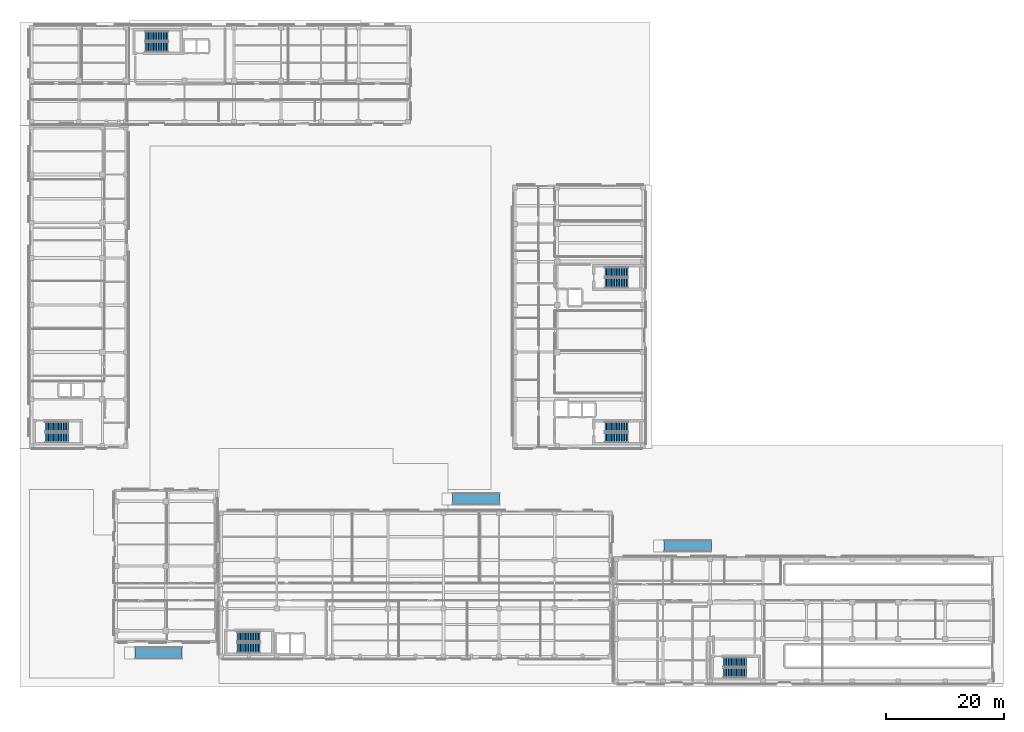
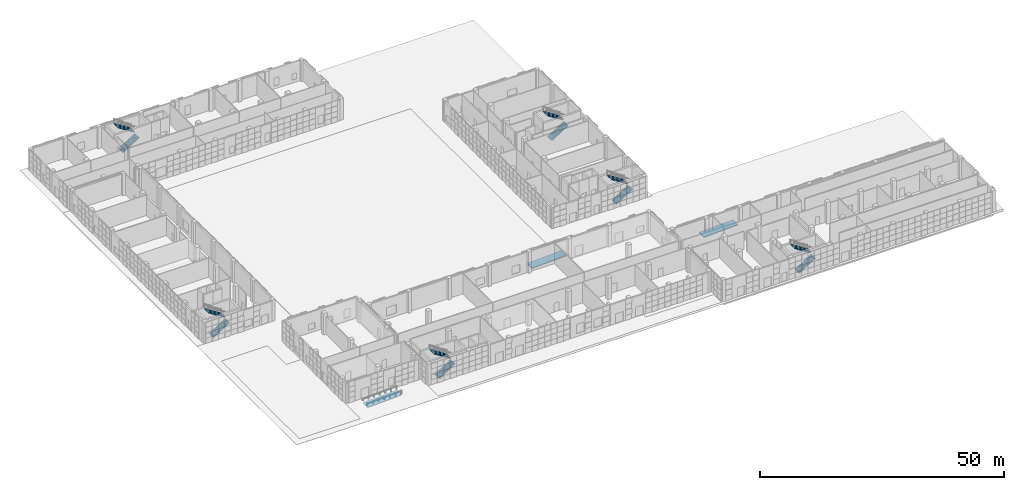
# One storey, part 18 of 40: 12 stair flights, 3 ramp flights, 9 elements without a shape of their own.
"""IFC4 building model written with IfcOpenShell, lengths in metres."""

import ifcopenshell
import ifcopenshell.guid

model = None  # the IFC model being written
_history = None  # IfcOwnerHistory: only IFC2X3 demands one
_inside = {}  # id of a spatial element -> (the spatial element, [elements in it])
_under = {}  # id of a project, library or spatial element -> (it, [spatial elements below it])
_declared = {}  # id of a project -> (the project, [libraries it declares])
_typed = {}  # id of a type object -> (the type object, [elements of that type])
_made_of = {}  # id of a material, layer set ... -> (it, [elements and type objects made of it])


def new_model(schema):
    """Start an empty IFC model of exactly this schema.

    Asked for "IFC4X3", IfcOpenShell would pick the latest addendum, in which some entities
    have other attributes; the version numbers below select the first issue.
    IFC2X3 requires an IfcOwnerHistory on every rooted entity: one is made here for all.
    """
    global model, _history
    if schema == "IFC4X3":
        model = ifcopenshell.file(schema_version=(4, 3, 0, 0))
    else:
        model = ifcopenshell.file(schema=schema)
    _inside.clear()
    _under.clear()
    _declared.clear()
    _typed.clear()
    _made_of.clear()
    _history = None
    if model.schema == "IFC2X3":
        org = make("IfcOrganization", Name="unknown")
        user = make(
            "IfcPersonAndOrganization",
            ThePerson=make("IfcPerson", FamilyName="unknown"),
            TheOrganization=org,
        )
        app = make(
            "IfcApplication",
            ApplicationDeveloper=org,
            Version="unknown",
            ApplicationFullName="unknown",
            ApplicationIdentifier="unknown",
        )
        _history = make(
            "IfcOwnerHistory",
            OwningUser=user,
            OwningApplication=app,
            ChangeAction="ADDED",
            CreationDate=0,
        )
    return model


def make(cls, **values):
    """One entity of the class cls with the attributes given. An attribute that is None is left unset."""
    return model.create_entity(
        cls, **{name: value for name, value in values.items() if value is not None}
    )


def rooted(cls, **values):
    """An entity with a GlobalId (a new one), such as an element, a storey or a relation."""
    return make(cls, GlobalId=ifcopenshell.guid.new(), OwnerHistory=_history, **values)


def si_unit(unit_type, name, prefix=None):
    """IfcSIUnit, for example si_unit("LENGTHUNIT", "METRE", prefix="MILLI")."""
    return make("IfcSIUnit", UnitType=unit_type, Prefix=prefix, Name=name)


def assignment(units):
    """IfcUnitAssignment: the units of a project."""
    return None if units is None else make("IfcUnitAssignment", Units=units)


def point(xyz):
    """IfcCartesianPoint."""
    return None if xyz is None else make("IfcCartesianPoint", Coordinates=xyz)


def direction(xyz):
    """IfcDirection."""
    return None if xyz is None else make("IfcDirection", DirectionRatios=xyz)


def frame(location, z_axis=None, x_axis=None):
    """IfcAxis2Placement3D, a coordinate frame: its origin and axes. An axis left out is left unset."""
    return make(
        "IfcAxis2Placement3D",
        Location=point(location),
        Axis=direction(z_axis),
        RefDirection=direction(x_axis),
    )


def origin():
    """The frame at (0, 0, 0) with its axes left unset."""
    return frame((0.0, 0.0, 0.0))


def place(relative_to, where):
    """IfcLocalPlacement: puts the frame where relative to a parent placement (None: the world)."""
    return make(
        "IfcLocalPlacement", PlacementRelTo=relative_to, RelativePlacement=where
    )


def context(
    kind, dimensions, precision=None, world=None, true_north=None, identifier=None
):
    """IfcGeometricRepresentationContext, for example the 3D "Model" context."""
    return make(
        "IfcGeometricRepresentationContext",
        ContextIdentifier=identifier,
        ContextType=kind,
        CoordinateSpaceDimension=dimensions,
        Precision=precision,
        WorldCoordinateSystem=world,
        TrueNorth=true_north,
    )


def subcontext(parent, identifier, kind, view, scale=None):
    """IfcGeometricRepresentationSubContext, for example "Body" below "Model"."""
    return make(
        "IfcGeometricRepresentationSubContext",
        ContextIdentifier=identifier,
        ContextType=kind,
        ParentContext=parent,
        TargetScale=scale,
        TargetView=view,
    )


def project(units=None, contexts=None):
    """IfcProject with its units and contexts."""
    return rooted(
        "IfcProject",
        Name="project",
        RepresentationContexts=contexts,
        UnitsInContext=assignment(units),
    )


def spatial(cls, under=None, at=None, **own):
    """A site, building, storey or space (cls), placed at a placement, below another one or the project."""
    s = rooted(cls, ObjectPlacement=at, **own)
    if under is not None:
        _under.setdefault(under.id(), (under, []))[1].append(s)
    return s


def polyline(points):
    """IfcPolyline through the points."""
    return make("IfcPolyline", Points=[point(p) for p in points])


def outline(outer, holes=None, kind="AREA"):
    """IfcArbitraryClosedProfileDef: a profile drawn as a closed curve; with holes, ...WithVoids."""
    if holes is None:
        return make("IfcArbitraryClosedProfileDef", ProfileType=kind, OuterCurve=outer)
    return make(
        "IfcArbitraryProfileDefWithVoids",
        ProfileType=kind,
        OuterCurve=outer,
        InnerCurves=holes,
    )


def extrude(swept, where, along, depth):
    """IfcExtrudedAreaSolid: the profile swept, set in the frame where, extruded along a direction by depth."""
    return make(
        "IfcExtrudedAreaSolid",
        SweptArea=swept,
        Position=where,
        ExtrudedDirection=direction(along),
        Depth=depth,
    )


def shape(context_of_items, identifier, shape_type, items):
    """IfcShapeRepresentation: the items that make up one representation, for example the "Body"."""
    return make(
        "IfcShapeRepresentation",
        ContextOfItems=context_of_items,
        RepresentationIdentifier=identifier,
        RepresentationType=shape_type,
        Items=items,
    )


def material(Name=None, Category=None):
    """IfcMaterial."""
    return make("IfcMaterial", Name=Name, Category=Category)


def layer(
    of_material, thickness, ventilated=None, Name=None, Category=None, Priority=None
):
    """IfcMaterialLayer: one layer of a wall or slab, of a material (None: an air gap)."""
    return make(
        "IfcMaterialLayer",
        Material=of_material,
        LayerThickness=thickness,
        IsVentilated=ventilated,
        Name=Name,
        Category=Category,
        Priority=Priority,
    )


def layer_set(layers, Name=None):
    """IfcMaterialLayerSet."""
    return make("IfcMaterialLayerSet", MaterialLayers=layers, LayerSetName=Name)


def made_of(thing, what):
    """Note that an element or type object is made of a material, layer set ...; save() writes the relation."""
    if what is not None:
        _made_of.setdefault(what.id(), (what, []))[1].append(thing)
    return thing


def type_object(cls, material=None, **own):
    """A type object (cls), such as IfcWallType, which elements share."""
    return made_of(rooted(cls, **own), material)


def element(
    cls,
    number,
    at=None,
    inside=None,
    cuts=None,
    type_object=None,
    material=None,
    context=None,
    identifier="Body",
    shape_type=None,
    held_by="IfcProductDefinitionShape",
    body=None,
    shapes=None,
    **own,
):
    """One element of the class cls, such as IfcWall. Its Tag is "e" and its number.

    at: its placement. inside: the storey or other place that contains it. cuts: it is an
    opening in that element (IfcRelVoidsElement). A single representation is given by context,
    identifier, shape_type and body (its items); several are given by shapes. held_by: the class
    of the entity that holds the representations. save() writes the other relations.
    """
    e = rooted(cls, Tag="e%d" % number, ObjectPlacement=at, **own)
    if body is not None:
        shapes = [shape(context, identifier, shape_type, body)]
    if shapes is not None:
        e.Representation = make(held_by, Representations=shapes)
    if inside is not None:
        _inside.setdefault(inside.id(), (inside, []))[1].append(e)
    if cuts is not None:
        rooted(
            "IfcRelVoidsElement", RelatingBuildingElement=cuts, RelatedOpeningElement=e
        )
    if type_object is not None:
        _typed.setdefault(type_object.id(), (type_object, []))[1].append(e)
    return made_of(e, material)


def aggregate(whole, parts):
    """IfcRelAggregates: a whole, such as a stair, and the parts it consists of."""
    return rooted("IfcRelAggregates", RelatingObject=whole, RelatedObjects=parts)


def save(model, path):
    """Write the relations noted so far, then the file.

    IfcRelAggregates (storeys below a building ...), IfcRelContainedInSpatialStructure (elements
    in a storey), IfcRelDefinesByType, IfcRelAssociatesMaterial and IfcRelDeclares: one each for
    every whole, place, type object, material and project.
    """
    for whole, parts in _under.values():
        aggregate(whole, parts)
    for where, things in _inside.values():
        rooted(
            "IfcRelContainedInSpatialStructure",
            RelatedElements=things,
            RelatingStructure=where,
        )
    for kind, things in _typed.values():
        rooted("IfcRelDefinesByType", RelatedObjects=things, RelatingType=kind)
    for what, things in _made_of.values():
        rooted("IfcRelAssociatesMaterial", RelatedObjects=things, RelatingMaterial=what)
    for by, libraries in _declared.values():
        rooted("IfcRelDeclares", RelatingContext=by, RelatedDefinitions=libraries)
    model.write(path)


model = new_model("IFC4")

# Units and contexts
model_context = context("Model", 3, precision=1e-05, world=origin(), true_north=direction((0.0, 1.0)))
body_context = subcontext(model_context, "Body", "Model", "MODEL_VIEW")
ifc_project = project(units=[si_unit("LENGTHUNIT", "METRE"), si_unit("AREAUNIT", "SQUARE_METRE"), si_unit("VOLUMEUNIT", "CUBIC_METRE"), si_unit("PLANEANGLEUNIT", "RADIAN"), si_unit("MASSUNIT", "GRAM", prefix="KILO")], contexts=[model_context])

# Site, building, storey
site_placement = place(None, origin())
site = spatial("IfcSite", under=ifc_project, at=site_placement, CompositionType="ELEMENT")
building_placement = place(site_placement, origin())
building = spatial("IfcBuilding", under=site, at=building_placement, Name="Qalavern Law Courts", CompositionType="ELEMENT")
storey_placement = place(building_placement, origin())
storey = spatial("IfcBuildingStorey", under=building, at=storey_placement, Name="L00", CompositionType="ELEMENT", Elevation=0.0)

# Stair, stair flights
ifc_material = material(Name="Concrete C35/45", Category="concrete")
stair_type_1 = type_object("IfcStairType", Name="INT-STAIR-1650", PredefinedType="HALF_TURN_STAIR", material=ifc_material)
stair_1_placement = place(storey_placement, origin())
stair_1 = element("IfcStair", 1, at=stair_1_placement, inside=storey, type_object=stair_type_1, Name="L00 ST-K5", PredefinedType="HALF_TURN_STAIR")
stair_flight_type_1 = type_object("IfcStairFlightType", Name="INT-FLIGHT-1650", PredefinedType="STRAIGHT", material=ifc_material)
stair_flight_1_placement = place(storey_placement, frame((120.050048828125, 2.824951171875, 0.0), z_axis=(0.0, 0.0, 1.0), x_axis=(1.0, 0.0, 0.0)))
stair_flight_1 = element("IfcStairFlight", 2, at=stair_flight_1_placement, type_object=stair_flight_type_1, Name="ST-K5 flight 1", NumberOfRisers=15, NumberOfTreads=14, PredefinedType="STRAIGHT", RiserHeight=0.18, TreadLength=0.28, context=body_context, shape_type="SweptSolid", body=[
    extrude(outline(polyline([(0.0, 0.0), (0.0, 0.179931640625), (0.280029296875, 0.179931640625), (0.280029296875, 0.360107421875), (0.56005859375, 0.360107421875), (0.56005859375, 0.5400390625), (0.840087890625, 0.5400390625), (0.840087890625, 0.719970703125), (1.1201171875, 0.719970703125), (1.1201171875, 0.89990234375), (1.39990234375, 0.89990234375), (1.39990234375, 1.080078125), (1.679931640625, 1.080078125), (1.679931640625, 1.260009765625), (1.9599609375, 1.260009765625), (1.9599609375, 1.43994140625), (2.239990234375, 1.43994140625), (2.239990234375, 1.6201171875), (2.52001953125, 1.6201171875), (2.52001953125, 1.800048828125), (2.800048828125, 1.800048828125), (2.800048828125, 1.97998046875), (3.080078125, 1.97998046875), (3.080078125, 2.159912109375), (3.360107421875, 2.159912109375), (3.360107421875, 2.340087890625), (3.639892578125, 2.340087890625), (3.639892578125, 2.52001953125), (3.919921875, 2.52001953125), (3.919921875, 2.699951171875), (3.919921875, 2.341796875), (0.277099609375, 0.0), (0.0, 0.0)])), frame((0.0, 0.824951171875, 0.0), z_axis=(0.0, -1.0, 0.0), x_axis=(1.0, 0.0, 0.0)), (0.0, 0.0, 1.0), 1.64990234375),
])
stair_flight_2_placement = place(storey_placement, frame((123.969970703125, 4.625, 2.699951171875), z_axis=(0.0, 0.0, 1.0), x_axis=(-1.0, 0.0, 0.0)))
stair_flight_2 = element("IfcStairFlight", 3, at=stair_flight_2_placement, type_object=stair_flight_type_1, Name="ST-K5 flight 2", NumberOfRisers=15, NumberOfTreads=14, PredefinedType="STRAIGHT", RiserHeight=0.18, TreadLength=0.28, context=body_context, shape_type="SweptSolid", body=[
    extrude(outline(polyline([(0.0, 0.0), (0.0, 0.179931640625), (0.280029296875, 0.179931640625), (0.280029296875, 0.360107421875), (0.56005859375, 0.360107421875), (0.56005859375, 0.5400390625), (0.840087890625, 0.5400390625), (0.840087890625, 0.719970703125), (1.1201171875, 0.719970703125), (1.1201171875, 0.89990234375), (1.39990234375, 0.89990234375), (1.39990234375, 1.080078125), (1.679931640625, 1.080078125), (1.679931640625, 1.260009765625), (1.9599609375, 1.260009765625), (1.9599609375, 1.43994140625), (2.239990234375, 1.43994140625), (2.239990234375, 1.6201171875), (2.52001953125, 1.6201171875), (2.52001953125, 1.800048828125), (2.800048828125, 1.800048828125), (2.800048828125, 1.97998046875), (3.080078125, 1.97998046875), (3.080078125, 2.159912109375), (3.360107421875, 2.159912109375), (3.360107421875, 2.340087890625), (3.639892578125, 2.340087890625), (3.639892578125, 2.52001953125), (3.919921875, 2.52001953125), (3.919921875, 2.699951171875), (3.919921875, 2.341796875), (0.277099609375, 0.0), (0.0, 0.0)])), frame((0.0, 0.824951171875, 0.0), z_axis=(0.0, -1.0, 0.0), x_axis=(1.0, 0.0, 0.0)), (0.0, 0.0, 1.0), 1.64990234375),
])
aggregate(stair_1, [stair_flight_1, stair_flight_2])

stair_type_2 = type_object("IfcStairType", Name="INT-STAIR-1700", PredefinedType="HALF_TURN_STAIR", material=ifc_material)
stair_2_placement = place(storey_placement, origin())
stair_2 = element("IfcStair", 4, at=stair_2_placement, inside=storey, type_object=stair_type_2, Name="L00 ST-K1A", PredefinedType="HALF_TURN_STAIR")
stair_flight_type_2 = type_object("IfcStairFlightType", Name="INT-FLIGHT-1700", PredefinedType="STRAIGHT", material=ifc_material)
stair_flight_3_placement = place(storey_placement, frame((99.89990234375, 42.85009765625, 0.0), z_axis=(0.0, 0.0, 1.0), x_axis=(1.0, 0.0, 0.0)))
stair_flight_3 = element("IfcStairFlight", 5, at=stair_flight_3_placement, type_object=stair_flight_type_2, Name="ST-K1A flight 1", NumberOfRisers=15, NumberOfTreads=14, PredefinedType="STRAIGHT", RiserHeight=0.18, TreadLength=0.28, context=body_context, shape_type="SweptSolid", body=[
    extrude(outline(polyline([(0.0, 0.0), (0.0, 0.179931640625), (0.280029296875, 0.179931640625), (0.280029296875, 0.360107421875), (0.56005859375, 0.360107421875), (0.56005859375, 0.5400390625), (0.840087890625, 0.5400390625), (0.840087890625, 0.719970703125), (1.1201171875, 0.719970703125), (1.1201171875, 0.89990234375), (1.39990234375, 0.89990234375), (1.39990234375, 1.080078125), (1.679931640625, 1.080078125), (1.679931640625, 1.260009765625), (1.9599609375, 1.260009765625), (1.9599609375, 1.43994140625), (2.239990234375, 1.43994140625), (2.239990234375, 1.6201171875), (2.52001953125, 1.6201171875), (2.52001953125, 1.800048828125), (2.800048828125, 1.800048828125), (2.800048828125, 1.97998046875), (3.080078125, 1.97998046875), (3.080078125, 2.159912109375), (3.360107421875, 2.159912109375), (3.360107421875, 2.340087890625), (3.639892578125, 2.340087890625), (3.639892578125, 2.52001953125), (3.919921875, 2.52001953125), (3.919921875, 2.699951171875), (3.919921875, 2.341796875), (0.277099609375, 0.0), (0.0, 0.0)])), frame((0.0, 0.85009765625, 0.0), z_axis=(0.0, -1.0, 0.0), x_axis=(1.0, 0.0, 0.0)), (0.0, 0.0, 1.0), 1.699951171875),
])
stair_flight_4_placement = place(storey_placement, frame((103.820068359375, 44.699951171875, 2.699951171875), z_axis=(0.0, 0.0, 1.0), x_axis=(-1.0, 0.0, 0.0)))
stair_flight_4 = element("IfcStairFlight", 6, at=stair_flight_4_placement, type_object=stair_flight_type_2, Name="ST-K1A flight 2", NumberOfRisers=15, NumberOfTreads=14, PredefinedType="STRAIGHT", RiserHeight=0.18, TreadLength=0.28, context=body_context, shape_type="SweptSolid", body=[
    extrude(outline(polyline([(0.0, 0.0), (0.0, 0.179931640625), (0.280029296875, 0.179931640625), (0.280029296875, 0.360107421875), (0.56005859375, 0.360107421875), (0.56005859375, 0.5400390625), (0.840087890625, 0.5400390625), (0.840087890625, 0.719970703125), (1.1201171875, 0.719970703125), (1.1201171875, 0.89990234375), (1.39990234375, 0.89990234375), (1.39990234375, 1.080078125), (1.679931640625, 1.080078125), (1.679931640625, 1.260009765625), (1.9599609375, 1.260009765625), (1.9599609375, 1.43994140625), (2.239990234375, 1.43994140625), (2.239990234375, 1.6201171875), (2.52001953125, 1.6201171875), (2.52001953125, 1.800048828125), (2.800048828125, 1.800048828125), (2.800048828125, 1.97998046875), (3.080078125, 1.97998046875), (3.080078125, 2.159912109375), (3.360107421875, 2.159912109375), (3.360107421875, 2.340087890625), (3.639892578125, 2.340087890625), (3.639892578125, 2.52001953125), (3.919921875, 2.52001953125), (3.919921875, 2.699951171875), (3.919921875, 2.341796875), (0.277099609375, 0.0), (0.0, 0.0)])), frame((0.0, 0.85009765625, 0.0), z_axis=(0.0, -1.0, 0.0), x_axis=(1.0, 0.0, 0.0)), (0.0, 0.0, 1.0), 1.699951171875),
])
aggregate(stair_2, [stair_flight_3, stair_flight_4])

stair_3_placement = place(storey_placement, origin())
stair_3 = element("IfcStair", 7, at=stair_3_placement, inside=storey, type_object=stair_type_2, Name="L00 ST-K1B", PredefinedType="HALF_TURN_STAIR")
stair_flight_5_placement = place(storey_placement, frame((99.89990234375, 69.14990234375, 0.0), z_axis=(0.0, 0.0, 1.0), x_axis=(1.0, 0.0, 0.0)))
stair_flight_5 = element("IfcStairFlight", 8, at=stair_flight_5_placement, type_object=stair_flight_type_2, Name="ST-K1B flight 1", NumberOfRisers=15, NumberOfTreads=14, PredefinedType="STRAIGHT", RiserHeight=0.18, TreadLength=0.28, context=body_context, shape_type="SweptSolid", body=[
    extrude(outline(polyline([(0.0, 0.0), (0.0, 0.179931640625), (0.280029296875, 0.179931640625), (0.280029296875, 0.360107421875), (0.56005859375, 0.360107421875), (0.56005859375, 0.5400390625), (0.840087890625, 0.5400390625), (0.840087890625, 0.719970703125), (1.1201171875, 0.719970703125), (1.1201171875, 0.89990234375), (1.39990234375, 0.89990234375), (1.39990234375, 1.080078125), (1.679931640625, 1.080078125), (1.679931640625, 1.260009765625), (1.9599609375, 1.260009765625), (1.9599609375, 1.43994140625), (2.239990234375, 1.43994140625), (2.239990234375, 1.6201171875), (2.52001953125, 1.6201171875), (2.52001953125, 1.800048828125), (2.800048828125, 1.800048828125), (2.800048828125, 1.97998046875), (3.080078125, 1.97998046875), (3.080078125, 2.159912109375), (3.360107421875, 2.159912109375), (3.360107421875, 2.340087890625), (3.639892578125, 2.340087890625), (3.639892578125, 2.52001953125), (3.919921875, 2.52001953125), (3.919921875, 2.699951171875), (3.919921875, 2.341796875), (0.277099609375, 0.0), (0.0, 0.0)])), frame((0.0, 0.85009765625, 0.0), z_axis=(0.0, -1.0, 0.0), x_axis=(1.0, 0.0, 0.0)), (0.0, 0.0, 1.0), 1.699951171875),
])
stair_flight_6_placement = place(storey_placement, frame((103.820068359375, 71.0, 2.699951171875), z_axis=(0.0, 0.0, 1.0), x_axis=(-1.0, 0.0, 0.0)))
stair_flight_6 = element("IfcStairFlight", 9, at=stair_flight_6_placement, type_object=stair_flight_type_2, Name="ST-K1B flight 2", NumberOfRisers=15, NumberOfTreads=14, PredefinedType="STRAIGHT", RiserHeight=0.18, TreadLength=0.28, context=body_context, shape_type="SweptSolid", body=[
    extrude(outline(polyline([(0.0, 0.0), (0.0, 0.179931640625), (0.280029296875, 0.179931640625), (0.280029296875, 0.360107421875), (0.56005859375, 0.360107421875), (0.56005859375, 0.5400390625), (0.840087890625, 0.5400390625), (0.840087890625, 0.719970703125), (1.1201171875, 0.719970703125), (1.1201171875, 0.89990234375), (1.39990234375, 0.89990234375), (1.39990234375, 1.080078125), (1.679931640625, 1.080078125), (1.679931640625, 1.260009765625), (1.9599609375, 1.260009765625), (1.9599609375, 1.43994140625), (2.239990234375, 1.43994140625), (2.239990234375, 1.6201171875), (2.52001953125, 1.6201171875), (2.52001953125, 1.800048828125), (2.800048828125, 1.800048828125), (2.800048828125, 1.97998046875), (3.080078125, 1.97998046875), (3.080078125, 2.159912109375), (3.360107421875, 2.159912109375), (3.360107421875, 2.340087890625), (3.639892578125, 2.340087890625), (3.639892578125, 2.52001953125), (3.919921875, 2.52001953125), (3.919921875, 2.699951171875), (3.919921875, 2.341796875), (0.277099609375, 0.0), (0.0, 0.0)])), frame((0.0, 0.85009765625, 0.0), z_axis=(0.0, -1.0, 0.0), x_axis=(1.0, 0.0, 0.0)), (0.0, 0.0, 1.0), 1.699951171875),
])
aggregate(stair_3, [stair_flight_5, stair_flight_6])

stair_4_placement = place(storey_placement, origin())
stair_4 = element("IfcStair", 10, at=stair_4_placement, inside=storey, type_object=stair_type_2, Name="L00 ST-K2", PredefinedType="HALF_TURN_STAIR")
stair_flight_7_placement = place(storey_placement, frame((4.699951171875, 42.85009765625, 0.0), z_axis=(0.0, 0.0, 1.0), x_axis=(1.0, 0.0, 0.0)))
stair_flight_7 = element("IfcStairFlight", 11, at=stair_flight_7_placement, type_object=stair_flight_type_2, Name="ST-K2 flight 1", NumberOfRisers=15, NumberOfTreads=14, PredefinedType="STRAIGHT", RiserHeight=0.18, TreadLength=0.28, context=body_context, shape_type="SweptSolid", body=[
    extrude(outline(polyline([(0.0, 0.0), (0.0, 0.179931640625), (0.280029296875, 0.179931640625), (0.280029296875, 0.360107421875), (0.56005859375, 0.360107421875), (0.56005859375, 0.5400390625), (0.840087890625, 0.5400390625), (0.840087890625, 0.719970703125), (1.1201171875, 0.719970703125), (1.1201171875, 0.89990234375), (1.39990234375, 0.89990234375), (1.39990234375, 1.080078125), (1.679931640625, 1.080078125), (1.679931640625, 1.260009765625), (1.9599609375, 1.260009765625), (1.9599609375, 1.43994140625), (2.239990234375, 1.43994140625), (2.239990234375, 1.6201171875), (2.52001953125, 1.6201171875), (2.52001953125, 1.800048828125), (2.800048828125, 1.800048828125), (2.800048828125, 1.97998046875), (3.080078125, 1.97998046875), (3.080078125, 2.159912109375), (3.360107421875, 2.159912109375), (3.360107421875, 2.340087890625), (3.639892578125, 2.340087890625), (3.639892578125, 2.52001953125), (3.919921875, 2.52001953125), (3.919921875, 2.699951171875), (3.919921875, 2.341796875), (0.277099609375, 0.0), (0.0, 0.0)])), frame((0.0, 0.85009765625, 0.0), z_axis=(0.0, -1.0, 0.0), x_axis=(1.0, 0.0, 0.0)), (0.0, 0.0, 1.0), 1.699951171875),
])
stair_flight_8_placement = place(storey_placement, frame((8.6201171875, 44.699951171875, 2.699951171875), z_axis=(0.0, 0.0, 1.0), x_axis=(-1.0, 0.0, 0.0)))
stair_flight_8 = element("IfcStairFlight", 12, at=stair_flight_8_placement, type_object=stair_flight_type_2, Name="ST-K2 flight 2", NumberOfRisers=15, NumberOfTreads=14, PredefinedType="STRAIGHT", RiserHeight=0.18, TreadLength=0.28, context=body_context, shape_type="SweptSolid", body=[
    extrude(outline(polyline([(0.0, 0.0), (0.0, 0.179931640625), (0.280029296875, 0.179931640625), (0.280029296875, 0.360107421875), (0.56005859375, 0.360107421875), (0.56005859375, 0.5400390625), (0.840087890625, 0.5400390625), (0.840087890625, 0.719970703125), (1.1201171875, 0.719970703125), (1.1201171875, 0.89990234375), (1.39990234375, 0.89990234375), (1.39990234375, 1.080078125), (1.679931640625, 1.080078125), (1.679931640625, 1.260009765625), (1.9599609375, 1.260009765625), (1.9599609375, 1.43994140625), (2.239990234375, 1.43994140625), (2.239990234375, 1.6201171875), (2.52001953125, 1.6201171875), (2.52001953125, 1.800048828125), (2.800048828125, 1.800048828125), (2.800048828125, 1.97998046875), (3.080078125, 1.97998046875), (3.080078125, 2.159912109375), (3.360107421875, 2.159912109375), (3.360107421875, 2.340087890625), (3.639892578125, 2.340087890625), (3.639892578125, 2.52001953125), (3.919921875, 2.52001953125), (3.919921875, 2.699951171875), (3.919921875, 2.341796875), (0.277099609375, 0.0), (0.0, 0.0)])), frame((0.0, 0.85009765625, 0.0), z_axis=(0.0, -1.0, 0.0), x_axis=(1.0, 0.0, 0.0)), (0.0, 0.0, 1.0), 1.699951171875),
])
aggregate(stair_4, [stair_flight_7, stair_flight_8])

stair_5_placement = place(storey_placement, origin())
stair_5 = element("IfcStair", 13, at=stair_5_placement, inside=storey, type_object=stair_type_2, Name="L00 ST-K3", PredefinedType="HALF_TURN_STAIR")
stair_flight_9_placement = place(storey_placement, frame((21.699951171875, 109.300048828125, 0.0), z_axis=(0.0, 0.0, 1.0), x_axis=(1.0, 0.0, 0.0)))
stair_flight_9 = element("IfcStairFlight", 14, at=stair_flight_9_placement, type_object=stair_flight_type_2, Name="ST-K3 flight 1", NumberOfRisers=15, NumberOfTreads=14, PredefinedType="STRAIGHT", RiserHeight=0.18, TreadLength=0.28, context=body_context, shape_type="SweptSolid", body=[
    extrude(outline(polyline([(0.0, 0.0), (0.0, 0.179931640625), (0.280029296875, 0.179931640625), (0.280029296875, 0.360107421875), (0.56005859375, 0.360107421875), (0.56005859375, 0.5400390625), (0.840087890625, 0.5400390625), (0.840087890625, 0.719970703125), (1.1201171875, 0.719970703125), (1.1201171875, 0.89990234375), (1.39990234375, 0.89990234375), (1.39990234375, 1.080078125), (1.679931640625, 1.080078125), (1.679931640625, 1.260009765625), (1.9599609375, 1.260009765625), (1.9599609375, 1.43994140625), (2.239990234375, 1.43994140625), (2.239990234375, 1.6201171875), (2.52001953125, 1.6201171875), (2.52001953125, 1.800048828125), (2.800048828125, 1.800048828125), (2.800048828125, 1.97998046875), (3.080078125, 1.97998046875), (3.080078125, 2.159912109375), (3.360107421875, 2.159912109375), (3.360107421875, 2.340087890625), (3.639892578125, 2.340087890625), (3.639892578125, 2.52001953125), (3.919921875, 2.52001953125), (3.919921875, 2.699951171875), (3.919921875, 2.341796875), (0.277099609375, 0.0), (0.0, 0.0)])), frame((0.0, 0.85009765625, 0.0), z_axis=(0.0, -1.0, 0.0), x_axis=(1.0, 0.0, 0.0)), (0.0, 0.0, 1.0), 1.699951171875),
])
stair_flight_10_placement = place(storey_placement, frame((25.6201171875, 111.14990234375, 2.699951171875), z_axis=(0.0, 0.0, 1.0), x_axis=(-1.0, 0.0, 0.0)))
stair_flight_10 = element("IfcStairFlight", 15, at=stair_flight_10_placement, type_object=stair_flight_type_2, Name="ST-K3 flight 2", NumberOfRisers=15, NumberOfTreads=14, PredefinedType="STRAIGHT", RiserHeight=0.18, TreadLength=0.28, context=body_context, shape_type="SweptSolid", body=[
    extrude(outline(polyline([(0.0, 0.0), (0.0, 0.179931640625), (0.280029296875, 0.179931640625), (0.280029296875, 0.360107421875), (0.56005859375, 0.360107421875), (0.56005859375, 0.5400390625), (0.840087890625, 0.5400390625), (0.840087890625, 0.719970703125), (1.1201171875, 0.719970703125), (1.1201171875, 0.89990234375), (1.39990234375, 0.89990234375), (1.39990234375, 1.080078125), (1.679931640625, 1.080078125), (1.679931640625, 1.260009765625), (1.9599609375, 1.260009765625), (1.9599609375, 1.43994140625), (2.239990234375, 1.43994140625), (2.239990234375, 1.6201171875), (2.52001953125, 1.6201171875), (2.52001953125, 1.800048828125), (2.800048828125, 1.800048828125), (2.800048828125, 1.97998046875), (3.080078125, 1.97998046875), (3.080078125, 2.159912109375), (3.360107421875, 2.159912109375), (3.360107421875, 2.340087890625), (3.639892578125, 2.340087890625), (3.639892578125, 2.52001953125), (3.919921875, 2.52001953125), (3.919921875, 2.699951171875), (3.919921875, 2.341796875), (0.277099609375, 0.0), (0.0, 0.0)])), frame((0.0, 0.85009765625, 0.0), z_axis=(0.0, -1.0, 0.0), x_axis=(1.0, 0.0, 0.0)), (0.0, 0.0, 1.0), 1.699951171875),
])
aggregate(stair_5, [stair_flight_9, stair_flight_10])

stair_type_3 = type_object("IfcStairType", Name="INT-STAIR-1750", PredefinedType="HALF_TURN_STAIR", material=ifc_material)
stair_6_placement = place(storey_placement, origin())
stair_6 = element("IfcStair", 16, at=stair_6_placement, inside=storey, type_object=stair_type_3, Name="L00 ST-K4", PredefinedType="HALF_TURN_STAIR")
stair_flight_type_3 = type_object("IfcStairFlightType", Name="INT-FLIGHT-1750", PredefinedType="STRAIGHT", material=ifc_material)
stair_flight_11_placement = place(storey_placement, frame((37.35009765625, 7.074951171875, 0.0), z_axis=(0.0, 0.0, 1.0), x_axis=(1.0, 0.0, 0.0)))
stair_flight_11 = element("IfcStairFlight", 17, at=stair_flight_11_placement, type_object=stair_flight_type_3, Name="ST-K4 flight 1", NumberOfRisers=15, NumberOfTreads=14, PredefinedType="STRAIGHT", RiserHeight=0.18, TreadLength=0.28, context=body_context, shape_type="SweptSolid", body=[
    extrude(outline(polyline([(0.0, 0.0), (0.0, 0.179931640625), (0.280029296875, 0.179931640625), (0.280029296875, 0.360107421875), (0.56005859375, 0.360107421875), (0.56005859375, 0.5400390625), (0.840087890625, 0.5400390625), (0.840087890625, 0.719970703125), (1.1201171875, 0.719970703125), (1.1201171875, 0.89990234375), (1.39990234375, 0.89990234375), (1.39990234375, 1.080078125), (1.679931640625, 1.080078125), (1.679931640625, 1.260009765625), (1.9599609375, 1.260009765625), (1.9599609375, 1.43994140625), (2.239990234375, 1.43994140625), (2.239990234375, 1.6201171875), (2.52001953125, 1.6201171875), (2.52001953125, 1.800048828125), (2.800048828125, 1.800048828125), (2.800048828125, 1.97998046875), (3.080078125, 1.97998046875), (3.080078125, 2.159912109375), (3.360107421875, 2.159912109375), (3.360107421875, 2.340087890625), (3.639892578125, 2.340087890625), (3.639892578125, 2.52001953125), (3.919921875, 2.52001953125), (3.919921875, 2.699951171875), (3.919921875, 2.341796875), (0.277099609375, 0.0), (0.0, 0.0)])), frame((0.0, 0.875, 0.0), z_axis=(0.0, -1.0, 0.0), x_axis=(1.0, 0.0, 0.0)), (0.0, 0.0, 1.0), 1.75),
])
stair_flight_12_placement = place(storey_placement, frame((41.27001953125, 8.97509765625, 2.699951171875), z_axis=(0.0, 0.0, 1.0), x_axis=(-1.0, 0.0, 0.0)))
stair_flight_12 = element("IfcStairFlight", 18, at=stair_flight_12_placement, type_object=stair_flight_type_3, Name="ST-K4 flight 2", NumberOfRisers=15, NumberOfTreads=14, PredefinedType="STRAIGHT", RiserHeight=0.18, TreadLength=0.28, context=body_context, shape_type="SweptSolid", body=[
    extrude(outline(polyline([(0.0, 0.0), (0.0, 0.179931640625), (0.280029296875, 0.179931640625), (0.280029296875, 0.360107421875), (0.56005859375, 0.360107421875), (0.56005859375, 0.5400390625), (0.840087890625, 0.5400390625), (0.840087890625, 0.719970703125), (1.1201171875, 0.719970703125), (1.1201171875, 0.89990234375), (1.39990234375, 0.89990234375), (1.39990234375, 1.080078125), (1.679931640625, 1.080078125), (1.679931640625, 1.260009765625), (1.9599609375, 1.260009765625), (1.9599609375, 1.43994140625), (2.239990234375, 1.43994140625), (2.239990234375, 1.6201171875), (2.52001953125, 1.6201171875), (2.52001953125, 1.800048828125), (2.800048828125, 1.800048828125), (2.800048828125, 1.97998046875), (3.080078125, 1.97998046875), (3.080078125, 2.159912109375), (3.360107421875, 2.159912109375), (3.360107421875, 2.340087890625), (3.639892578125, 2.340087890625), (3.639892578125, 2.52001953125), (3.919921875, 2.52001953125), (3.919921875, 2.699951171875), (3.919921875, 2.341796875), (0.277099609375, 0.0), (0.0, 0.0)])), frame((0.0, 0.875, 0.0), z_axis=(0.0, -1.0, 0.0), x_axis=(1.0, 0.0, 0.0)), (0.0, 0.0, 1.0), 1.75),
])
aggregate(stair_6, [stair_flight_11, stair_flight_12])

# Ramp, ramp flight
ramp_type = type_object("IfcRampType", Name="INT-RAMP-PED", PredefinedType="STRAIGHT_RUN_RAMP", material=ifc_material)
ramp_1_placement = place(storey_placement, origin())
ramp_1 = element("IfcRamp", 19, at=ramp_1_placement, inside=storey, type_object=ramp_type, Name="Southwest Plaza Accessible Pedestrian Ramp", PredefinedType="STRAIGHT_RUN_RAMP")
ifc_layer = layer(ifc_material, 0.219970703125)
ifc_layer_set = layer_set([ifc_layer], Name="Concrete C35/45")
ramp_flight_type = type_object("IfcRampFlightType", Name="INT-RFL-PED220", PredefinedType="STRAIGHT", material=ifc_layer_set)
ramp_flight_1_placement = place(storey_placement, frame((20.0, 6.199951171875, -0.35009765625), z_axis=(0.0, 0.0, 1.0), x_axis=(1.0, 0.0, 0.0)))
ramp_flight_1 = element("IfcRampFlight", 20, at=ramp_flight_1_placement, type_object=ramp_flight_type, Name="Southwest Plaza Accessible Pedestrian Ramp flight", PredefinedType="STRAIGHT", context=body_context, shape_type="SweptSolid", body=[
    extrude(outline(polyline([(0.0, -0.219970703125), (8.0, 0.130126953125), (8.0, 0.35009765625), (0.0, 0.0), (0.0, -0.219970703125)])), frame((0.0, 1.0, 0.0), z_axis=(0.0, -1.0, 0.0), x_axis=(1.0, 0.0, 0.0)), (0.0, 0.0, 1.0), 2.0),
])
aggregate(ramp_1, [ramp_flight_1])

ramp_2_placement = place(storey_placement, origin())
ramp_2 = element("IfcRamp", 21, at=ramp_2_placement, inside=storey, type_object=ramp_type, Name="Public Hall Forecourt Accessible Pedestrian Ramp", PredefinedType="STRAIGHT_RUN_RAMP")
ramp_flight_2_placement = place(storey_placement, frame((110.0, 24.39990234375, -0.35009765625), z_axis=(0.0, 0.0, 1.0), x_axis=(1.0, 0.0, 0.0)))
ramp_flight_2 = element("IfcRampFlight", 22, at=ramp_flight_2_placement, type_object=ramp_flight_type, Name="Public Hall Forecourt Accessible Pedestrian Ramp flight", PredefinedType="STRAIGHT", context=body_context, shape_type="SweptSolid", body=[
    extrude(outline(polyline([(0.0, -0.219970703125), (8.0, 0.130126953125), (8.0, 0.35009765625), (0.0, 0.0), (0.0, -0.219970703125)])), frame((0.0, 1.0, 0.0), z_axis=(0.0, -1.0, 0.0), x_axis=(1.0, 0.0, 0.0)), (0.0, 0.0, 1.0), 2.0),
])
aggregate(ramp_2, [ramp_flight_2])

ramp_3_placement = place(storey_placement, origin())
ramp_3 = element("IfcRamp", 23, at=ramp_3_placement, inside=storey, type_object=ramp_type, Name="Inner Courtyard Accessible Pedestrian Ramp", PredefinedType="STRAIGHT_RUN_RAMP")
ramp_flight_3_placement = place(storey_placement, frame((74.0, 32.39990234375, -0.35009765625), z_axis=(0.0, 0.0, 1.0), x_axis=(1.0, 0.0, 0.0)))
ramp_flight_3 = element("IfcRampFlight", 24, at=ramp_flight_3_placement, type_object=ramp_flight_type, Name="Inner Courtyard Accessible Pedestrian Ramp flight", PredefinedType="STRAIGHT", context=body_context, shape_type="SweptSolid", body=[
    extrude(outline(polyline([(0.0, -0.219970703125), (8.0, 0.130126953125), (8.0, 0.35009765625), (0.0, 0.0), (0.0, -0.219970703125)])), frame((0.0, 1.0, 0.0), z_axis=(0.0, -1.0, 0.0), x_axis=(1.0, 0.0, 0.0)), (0.0, 0.0, 1.0), 2.0),
])
aggregate(ramp_3, [ramp_flight_3])

save(model, "model.ifc")
